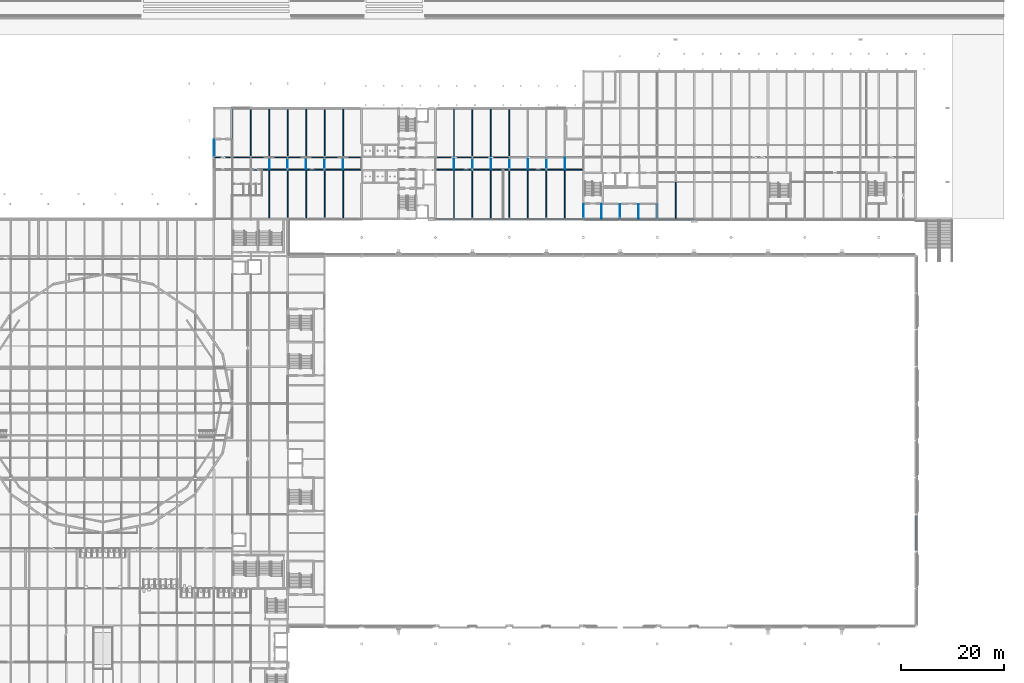
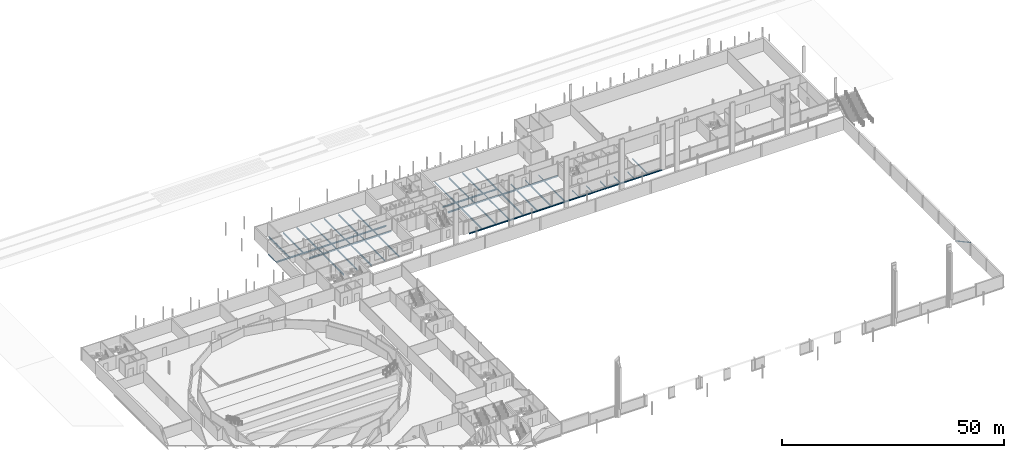
# One storey, part 36 of 90: 62 beams, 1 member.
"""IFC4 building model written with IfcOpenShell, lengths in metres."""

from ifc_helpers import new_model, si_unit, direction, frame, origin, origin_2d, place, context, subcontext, project, spatial, hollow_circle, i_section, extrude, material, material_profile, profile_set, type_object, element, save


model = new_model("IFC4")

# Units and contexts
model_context = context("Model", 3, precision=1e-05, world=origin(), true_north=direction((0.0, 1.0)))
body_context = subcontext(model_context, "Body", "Model", "MODEL_VIEW")
ifc_project = project(units=[si_unit("LENGTHUNIT", "METRE"), si_unit("AREAUNIT", "SQUARE_METRE"), si_unit("VOLUMEUNIT", "CUBIC_METRE"), si_unit("PLANEANGLEUNIT", "RADIAN"), si_unit("MASSUNIT", "GRAM", prefix="KILO")], contexts=[model_context])

# Site, building, storey
site_placement = place(None, origin())
site = spatial("IfcSite", under=ifc_project, at=site_placement, CompositionType="ELEMENT")
building_placement = place(site_placement, origin())
building = spatial("IfcBuilding", under=site, at=building_placement, Name="Kupolbacken Congress Centre", CompositionType="ELEMENT")
storey_placement = place(building_placement, frame((0.0, 0.0, 3.60009765625)))
storey = spatial("IfcBuildingStorey", under=building, at=storey_placement, Name="L01", CompositionType="ELEMENT", Elevation=3.60009765625)

# Beams
ifc_material_1 = material(Name="Steel S355", Category="steel")
ifc_material_profile_1 = material_profile(ifc_material_1, i_section(OverallWidth=0.10009765625, OverallDepth=0.199951171875, WebThickness=0.005615234375, FlangeThickness=0.008544921875, FilletRadius=0.011962890625, at=origin_2d()), Name="IPE 200")
ifc_profile_set_1 = profile_set([ifc_material_profile_1], Name="Steel S355")
beam_type_1 = type_object("IfcBeamType", Name="B01 beam IPE 200", PredefinedType="BEAM", material=ifc_profile_set_1)
beam_1_placement = place(storey_placement, frame((64.800048828125, 134.625, -0.280029296875), z_axis=(0.0, 1.0, 0.0), x_axis=(-1.0, 0.0, 0.0)))
element("IfcBeam", 1, at=beam_1_placement, inside=storey, type_object=beam_type_1, Name="S/floor/T/L01/S033", PredefinedType="BEAM", context=body_context, shape_type="SweptSolid", body=[
    extrude(i_section(OverallWidth=0.10009765625, OverallDepth=0.199951171875, WebThickness=0.005615234375, FlangeThickness=0.008544921875, FilletRadius=0.011962890625, at=origin_2d()), origin(), (0.0, 0.0, 1.0), 3.22509765625),
])
beam_2_placement = place(storey_placement, frame((75.60009765625, 132.074951171875, -0.280029296875), z_axis=(0.0, 1.0, 0.0), x_axis=(-1.0, 0.0, 0.0)))
element("IfcBeam", 2, at=beam_2_placement, inside=storey, type_object=beam_type_1, Name="S/floor/T/L01/S041", PredefinedType="BEAM", context=body_context, shape_type="SweptSolid", body=[
    extrude(i_section(OverallWidth=0.10009765625, OverallDepth=0.199951171875, WebThickness=0.005615234375, FlangeThickness=0.008544921875, FilletRadius=0.011962890625, at=origin_2d()), origin(), (0.0, 0.0, 1.0), 2.25),
])
beam_3_placement = place(storey_placement, frame((79.199951171875, 132.21240234375, -0.280029296875), z_axis=(0.0, 1.0, 0.0), x_axis=(-1.0, 0.0, 0.0)))
element("IfcBeam", 3, at=beam_3_placement, inside=storey, type_object=beam_type_1, Name="S/floor/T/L01/S044", PredefinedType="BEAM", context=body_context, shape_type="SweptSolid", body=[
    extrude(i_section(OverallWidth=0.10009765625, OverallDepth=0.199951171875, WebThickness=0.005615234375, FlangeThickness=0.008544921875, FilletRadius=0.011962890625, at=origin_2d()), origin(), (0.0, 0.0, 1.0), 1.97509765625),
])
beam_4_placement = place(storey_placement, frame((82.800048828125, 132.074951171875, -0.280029296875), z_axis=(0.0, 1.0, 0.0), x_axis=(-1.0, 0.0, 0.0)))
element("IfcBeam", 4, at=beam_4_placement, inside=storey, type_object=beam_type_1, Name="S/floor/T/L01/S047", PredefinedType="BEAM", context=body_context, shape_type="SweptSolid", body=[
    extrude(i_section(OverallWidth=0.10009765625, OverallDepth=0.199951171875, WebThickness=0.005615234375, FlangeThickness=0.008544921875, FilletRadius=0.011962890625, at=origin_2d()), origin(), (0.0, 0.0, 1.0), 2.25),
])
beam_5_placement = place(storey_placement, frame((86.39990234375, 132.21240234375, -0.280029296875), z_axis=(0.0, 1.0, 0.0), x_axis=(-1.0, 0.0, 0.0)))
element("IfcBeam", 5, at=beam_5_placement, inside=storey, type_object=beam_type_1, Name="S/floor/T/L01/S050", PredefinedType="BEAM", context=body_context, shape_type="SweptSolid", body=[
    extrude(i_section(OverallWidth=0.10009765625, OverallDepth=0.199951171875, WebThickness=0.005615234375, FlangeThickness=0.008544921875, FilletRadius=0.011962890625, at=origin_2d()), origin(), (0.0, 0.0, 1.0), 1.97509765625),
])
for number, where, z_axis, x_axis, name in (
    (6, (90.0, 132.074951171875, -0.280029296875), (0.0, 1.0, 0.0), (-1.0, 0.0, 0.0), "S/floor/T/L01/S053"),
    (7, (111.60009765625, 132.074951171875, -0.280029296875), (0.0, 1.0, 0.0), (-1.0, 0.0, 0.0), "S/floor/T/L01/S056"),
):
    element("IfcBeam", number, at=place(storey_placement, frame(where, z_axis=z_axis, x_axis=x_axis)), inside=storey, type_object=beam_type_1, Name=name, PredefinedType="BEAM", context=body_context, shape_type="SweptSolid", body=[
        extrude(i_section(OverallWidth=0.10009765625, OverallDepth=0.199951171875, WebThickness=0.005615234375, FlangeThickness=0.008544921875, FilletRadius=0.011962890625, at=origin_2d()), origin(), (0.0, 0.0, 1.0), 2.25),
    ])
beam_6_placement = place(storey_placement, frame((115.199951171875, 132.21240234375, -0.280029296875), z_axis=(0.0, 1.0, 0.0), x_axis=(-1.0, 0.0, 0.0)))
element("IfcBeam", 8, at=beam_6_placement, inside=storey, type_object=beam_type_1, Name="S/floor/T/L01/S059", PredefinedType="BEAM", context=body_context, shape_type="SweptSolid", body=[
    extrude(i_section(OverallWidth=0.10009765625, OverallDepth=0.199951171875, WebThickness=0.005615234375, FlangeThickness=0.008544921875, FilletRadius=0.011962890625, at=origin_2d()), origin(), (0.0, 0.0, 1.0), 1.97509765625),
])
beam_7_placement = place(storey_placement, frame((118.800048828125, 132.074951171875, -0.280029296875), z_axis=(0.0, 1.0, 0.0), x_axis=(-1.0, 0.0, 0.0)))
element("IfcBeam", 9, at=beam_7_placement, inside=storey, type_object=beam_type_1, Name="S/floor/T/L01/S062", PredefinedType="BEAM", context=body_context, shape_type="SweptSolid", body=[
    extrude(i_section(OverallWidth=0.10009765625, OverallDepth=0.199951171875, WebThickness=0.005615234375, FlangeThickness=0.008544921875, FilletRadius=0.011962890625, at=origin_2d()), origin(), (0.0, 0.0, 1.0), 2.25),
])
beam_8_placement = place(storey_placement, frame((122.39990234375, 132.21240234375, -0.280029296875), z_axis=(0.0, 1.0, 0.0), x_axis=(-1.0, 0.0, 0.0)))
element("IfcBeam", 10, at=beam_8_placement, inside=storey, type_object=beam_type_1, Name="S/floor/T/L01/S065", PredefinedType="BEAM", context=body_context, shape_type="SweptSolid", body=[
    extrude(i_section(OverallWidth=0.10009765625, OverallDepth=0.199951171875, WebThickness=0.005615234375, FlangeThickness=0.008544921875, FilletRadius=0.011962890625, at=origin_2d()), origin(), (0.0, 0.0, 1.0), 1.97509765625),
])
beam_9_placement = place(storey_placement, frame((126.0, 132.074951171875, -0.280029296875), z_axis=(0.0, 1.0, 0.0), x_axis=(-1.0, 0.0, 0.0)))
element("IfcBeam", 11, at=beam_9_placement, inside=storey, type_object=beam_type_1, Name="S/floor/T/L01/S068", PredefinedType="BEAM", context=body_context, shape_type="SweptSolid", body=[
    extrude(i_section(OverallWidth=0.10009765625, OverallDepth=0.199951171875, WebThickness=0.005615234375, FlangeThickness=0.008544921875, FilletRadius=0.011962890625, at=origin_2d()), origin(), (0.0, 0.0, 1.0), 2.25),
])
beam_10_placement = place(storey_placement, frame((129.60009765625, 132.21240234375, -0.280029296875), z_axis=(0.0, 1.0, 0.0), x_axis=(-1.0, 0.0, 0.0)))
element("IfcBeam", 12, at=beam_10_placement, inside=storey, type_object=beam_type_1, Name="S/floor/T/L01/S071", PredefinedType="BEAM", context=body_context, shape_type="SweptSolid", body=[
    extrude(i_section(OverallWidth=0.10009765625, OverallDepth=0.199951171875, WebThickness=0.005615234375, FlangeThickness=0.008544921875, FilletRadius=0.011962890625, at=origin_2d()), origin(), (0.0, 0.0, 1.0), 1.97509765625),
])
beam_11_placement = place(storey_placement, frame((133.199951171875, 132.074951171875, -0.280029296875), z_axis=(0.0, 1.0, 0.0), x_axis=(-1.0, 0.0, 0.0)))
element("IfcBeam", 13, at=beam_11_placement, inside=storey, type_object=beam_type_1, Name="S/floor/T/L01/S074", PredefinedType="BEAM", context=body_context, shape_type="SweptSolid", body=[
    extrude(i_section(OverallWidth=0.10009765625, OverallDepth=0.199951171875, WebThickness=0.005615234375, FlangeThickness=0.008544921875, FilletRadius=0.011962890625, at=origin_2d()), origin(), (0.0, 0.0, 1.0), 2.25),
])
beam_12_placement = place(storey_placement, frame((136.800048828125, 122.625, -0.280029296875), z_axis=(0.0, 1.0, 0.0), x_axis=(-1.0, 0.0, 0.0)))
element("IfcBeam", 14, at=beam_12_placement, inside=storey, type_object=beam_type_1, Name="S/floor/T/L01/S076", PredefinedType="BEAM", context=body_context, shape_type="SweptSolid", body=[
    extrude(i_section(OverallWidth=0.10009765625, OverallDepth=0.199951171875, WebThickness=0.005615234375, FlangeThickness=0.008544921875, FilletRadius=0.011962890625, at=origin_2d()), origin(), (0.0, 0.0, 1.0), 2.64990234375),
])
beam_13_placement = place(storey_placement, frame((144.0, 122.625, -0.280029296875), z_axis=(0.0, 1.0, 0.0), x_axis=(-1.0, 0.0, 0.0)))
element("IfcBeam", 15, at=beam_13_placement, inside=storey, type_object=beam_type_1, Name="S/floor/BF/L01/G002", PredefinedType="BEAM", context=body_context, shape_type="SweptSolid", body=[
    extrude(i_section(OverallWidth=0.10009765625, OverallDepth=0.199951171875, WebThickness=0.005615234375, FlangeThickness=0.008544921875, FilletRadius=0.011962890625, at=origin_2d()), origin(), (0.0, 0.0, 1.0), 2.675048828125),
])
beam_14_placement = place(storey_placement, frame((151.199951171875, 122.550048828125, -0.280029296875), z_axis=(0.0, 1.0, 0.0), x_axis=(-1.0, 0.0, 0.0)))
element("IfcBeam", 16, at=beam_14_placement, inside=storey, type_object=beam_type_1, Name="S/floor/BF/L01/G005", PredefinedType="BEAM", context=body_context, shape_type="SweptSolid", body=[
    extrude(i_section(OverallWidth=0.10009765625, OverallDepth=0.199951171875, WebThickness=0.005615234375, FlangeThickness=0.008544921875, FilletRadius=0.011962890625, at=origin_2d()), origin(), (0.0, 0.0, 1.0), 2.75),
])
beam_15_placement = place(storey_placement, frame((140.39990234375, 122.47509765625, -0.280029296875), z_axis=(0.0, 1.0, 0.0), x_axis=(-1.0, 0.0, 0.0)))
element("IfcBeam", 17, at=beam_15_placement, inside=storey, type_object=beam_type_1, Name="S/floor/BF/L01/S016", PredefinedType="BEAM", context=body_context, shape_type="SweptSolid", body=[
    extrude(i_section(OverallWidth=0.10009765625, OverallDepth=0.199951171875, WebThickness=0.005615234375, FlangeThickness=0.008544921875, FilletRadius=0.011962890625, at=origin_2d()), origin(), (0.0, 0.0, 1.0), 2.7998046875),
])
beam_16_placement = place(storey_placement, frame((147.60009765625, 122.47509765625, -0.280029296875), z_axis=(0.0, 1.0, 0.0), x_axis=(-1.0, 0.0, 0.0)))
element("IfcBeam", 18, at=beam_16_placement, inside=storey, type_object=beam_type_1, Name="S/floor/BF/L01/S020", PredefinedType="BEAM", context=body_context, shape_type="SweptSolid", body=[
    extrude(i_section(OverallWidth=0.10009765625, OverallDepth=0.199951171875, WebThickness=0.005615234375, FlangeThickness=0.008544921875, FilletRadius=0.011962890625, at=origin_2d()), origin(), (0.0, 0.0, 1.0), 2.824951171875),
])
ifc_material_2 = material(Name="Steel S355", Category="steel")
ifc_material_profile_2 = material_profile(ifc_material_2, i_section(OverallWidth=0.14990234375, OverallDepth=0.300048828125, WebThickness=0.007080078125, FlangeThickness=0.0107421875, FilletRadius=0.014892578125, at=origin_2d()), Name="IPE 300")
ifc_profile_set_2 = profile_set([ifc_material_profile_2], Name="Steel S355")
beam_type_2 = type_object("IfcBeamType", Name="B04 beam IPE 300", PredefinedType="BEAM", material=ifc_profile_set_2)
beam_17_placement = place(storey_placement, frame((108.199951171875, 122.39990234375, -0.330078125), z_axis=(1.0, 0.0, 0.0), x_axis=(0.0, 1.0, 0.0)))
element("IfcBeam", 19, at=beam_17_placement, inside=storey, type_object=beam_type_2, Name="S/floor/T/L01/R003", PredefinedType="BEAM", context=body_context, shape_type="SweptSolid", body=[
    extrude(i_section(OverallWidth=0.14990234375, OverallDepth=0.300048828125, WebThickness=0.007080078125, FlangeThickness=0.0107421875, FilletRadius=0.014892578125, at=origin_2d()), origin(), (0.0, 0.0, 1.0), 6.989501953125),
])
beam_18_placement = place(storey_placement, frame((115.21044921875, 122.39990234375, -0.330078125), z_axis=(1.0, 0.0, 0.0), x_axis=(0.0, 1.0, 0.0)))
element("IfcBeam", 20, at=beam_18_placement, inside=storey, type_object=beam_type_2, Name="S/floor/T/L01/R004", PredefinedType="BEAM", context=body_context, shape_type="SweptSolid", body=[
    extrude(i_section(OverallWidth=0.14990234375, OverallDepth=0.300048828125, WebThickness=0.007080078125, FlangeThickness=0.0107421875, FilletRadius=0.014892578125, at=origin_2d()), origin(), (0.0, 0.0, 1.0), 7.178955078125),
])
beam_19_placement = place(storey_placement, frame((122.410400390625, 122.39990234375, -0.330078125), z_axis=(1.0, 0.0, 0.0), x_axis=(0.0, 1.0, 0.0)))
element("IfcBeam", 21, at=beam_19_placement, inside=storey, type_object=beam_type_2, Name="S/floor/T/L01/R005", PredefinedType="BEAM", context=body_context, shape_type="SweptSolid", body=[
    extrude(i_section(OverallWidth=0.14990234375, OverallDepth=0.300048828125, WebThickness=0.007080078125, FlangeThickness=0.0107421875, FilletRadius=0.014892578125, at=origin_2d()), origin(), (0.0, 0.0, 1.0), 7.17919921875),
])
beam_20_placement = place(storey_placement, frame((129.610595703125, 122.39990234375, -0.330078125), z_axis=(1.0, 0.0, 0.0), x_axis=(0.0, 1.0, 0.0)))
element("IfcBeam", 22, at=beam_20_placement, inside=storey, type_object=beam_type_2, Name="S/floor/T/L01/R006", PredefinedType="BEAM", context=body_context, shape_type="SweptSolid", body=[
    extrude(i_section(OverallWidth=0.14990234375, OverallDepth=0.300048828125, WebThickness=0.007080078125, FlangeThickness=0.0107421875, FilletRadius=0.014892578125, at=origin_2d()), origin(), (0.0, 0.0, 1.0), 7.182373046875),
])
for number, where, z_axis, x_axis, name in (
    (23, (72.016357421875, 132.0, -0.330078125), (1.0, 0.0, 0.0), (0.0, 1.0, 0.0), "S/floor/T/L01/R008"),
    (24, (79.21630859375, 132.0, -0.330078125), (1.0, 0.0, 0.0), (0.0, 1.0, 0.0), "S/floor/T/L01/R009"),
):
    element("IfcBeam", number, at=place(storey_placement, frame(where, z_axis=z_axis, x_axis=x_axis)), inside=storey, type_object=beam_type_2, Name=name, PredefinedType="BEAM", context=body_context, shape_type="SweptSolid", body=[
        extrude(i_section(OverallWidth=0.14990234375, OverallDepth=0.300048828125, WebThickness=0.007080078125, FlangeThickness=0.0107421875, FilletRadius=0.014892578125, at=origin_2d()), origin(), (0.0, 0.0, 1.0), 7.167236328125),
    ])
beam_21_placement = place(storey_placement, frame((86.41650390625, 132.0, -0.330078125), z_axis=(1.0, 0.0, 0.0), x_axis=(0.0, 1.0, 0.0)))
element("IfcBeam", 25, at=beam_21_placement, inside=storey, type_object=beam_type_2, Name="S/floor/T/L01/R010", PredefinedType="BEAM", context=body_context, shape_type="SweptSolid", body=[
    extrude(i_section(OverallWidth=0.14990234375, OverallDepth=0.300048828125, WebThickness=0.007080078125, FlangeThickness=0.0107421875, FilletRadius=0.014892578125, at=origin_2d()), origin(), (0.0, 0.0, 1.0), 6.9833984375),
])
beam_22_placement = place(storey_placement, frame((108.199951171875, 132.0, -0.330078125), z_axis=(1.0, 0.0, 0.0), x_axis=(0.0, 1.0, 0.0)))
element("IfcBeam", 26, at=beam_22_placement, inside=storey, type_object=beam_type_2, Name="S/floor/T/L01/R011", PredefinedType="BEAM", context=body_context, shape_type="SweptSolid", body=[
    extrude(i_section(OverallWidth=0.14990234375, OverallDepth=0.300048828125, WebThickness=0.007080078125, FlangeThickness=0.0107421875, FilletRadius=0.014892578125, at=origin_2d()), origin(), (0.0, 0.0, 1.0), 6.983642578125),
])
beam_23_placement = place(storey_placement, frame((115.21630859375, 132.0, -0.330078125), z_axis=(1.0, 0.0, 0.0), x_axis=(0.0, 1.0, 0.0)))
element("IfcBeam", 27, at=beam_23_placement, inside=storey, type_object=beam_type_2, Name="S/floor/T/L01/R012", PredefinedType="BEAM", context=body_context, shape_type="SweptSolid", body=[
    extrude(i_section(OverallWidth=0.14990234375, OverallDepth=0.300048828125, WebThickness=0.007080078125, FlangeThickness=0.0107421875, FilletRadius=0.014892578125, at=origin_2d()), origin(), (0.0, 0.0, 1.0), 7.167236328125),
])
beam_24_placement = place(storey_placement, frame((122.41650390625, 132.0, -0.330078125), z_axis=(1.0, 0.0, 0.0), x_axis=(0.0, 1.0, 0.0)))
element("IfcBeam", 28, at=beam_24_placement, inside=storey, type_object=beam_type_2, Name="S/floor/T/L01/R013", PredefinedType="BEAM", context=body_context, shape_type="SweptSolid", body=[
    extrude(i_section(OverallWidth=0.14990234375, OverallDepth=0.300048828125, WebThickness=0.007080078125, FlangeThickness=0.0107421875, FilletRadius=0.014892578125, at=origin_2d()), origin(), (0.0, 0.0, 1.0), 7.1669921875),
])
beam_25_placement = place(storey_placement, frame((129.616455078125, 132.0, -0.330078125), z_axis=(1.0, 0.0, 0.0), x_axis=(0.0, 1.0, 0.0)))
element("IfcBeam", 29, at=beam_25_placement, inside=storey, type_object=beam_type_2, Name="S/floor/T/L01/R014", PredefinedType="BEAM", context=body_context, shape_type="SweptSolid", body=[
    extrude(i_section(OverallWidth=0.14990234375, OverallDepth=0.300048828125, WebThickness=0.007080078125, FlangeThickness=0.0107421875, FilletRadius=0.014892578125, at=origin_2d()), origin(), (0.0, 0.0, 1.0), 7.176513671875),
])
beam_26_placement = place(storey_placement, frame((64.806884765625, 134.39990234375, -0.330078125), z_axis=(1.0, 0.0, 0.0), x_axis=(0.0, 1.0, 0.0)))
element("IfcBeam", 30, at=beam_26_placement, inside=storey, type_object=beam_type_2, Name="S/floor/T/L01/R015", PredefinedType="BEAM", context=body_context, shape_type="SweptSolid", body=[
    extrude(i_section(OverallWidth=0.14990234375, OverallDepth=0.300048828125, WebThickness=0.007080078125, FlangeThickness=0.0107421875, FilletRadius=0.014892578125, at=origin_2d()), origin(), (0.0, 0.0, 1.0), 7.1767578125),
])
for number, where, z_axis, x_axis, name in (
    (31, (72.016357421875, 134.39990234375, -0.330078125), (1.0, 0.0, 0.0), (0.0, 1.0, 0.0), "S/floor/T/L01/R016"),
    (32, (79.21630859375, 134.39990234375, -0.330078125), (1.0, 0.0, 0.0), (0.0, 1.0, 0.0), "S/floor/T/L01/R017"),
):
    element("IfcBeam", number, at=place(storey_placement, frame(where, z_axis=z_axis, x_axis=x_axis)), inside=storey, type_object=beam_type_2, Name=name, PredefinedType="BEAM", context=body_context, shape_type="SweptSolid", body=[
        extrude(i_section(OverallWidth=0.14990234375, OverallDepth=0.300048828125, WebThickness=0.007080078125, FlangeThickness=0.0107421875, FilletRadius=0.014892578125, at=origin_2d()), origin(), (0.0, 0.0, 1.0), 7.167236328125),
    ])
beam_27_placement = place(storey_placement, frame((86.41650390625, 134.39990234375, -0.330078125), z_axis=(1.0, 0.0, 0.0), x_axis=(0.0, 1.0, 0.0)))
element("IfcBeam", 33, at=beam_27_placement, inside=storey, type_object=beam_type_2, Name="S/floor/T/L01/R018", PredefinedType="BEAM", context=body_context, shape_type="SweptSolid", body=[
    extrude(i_section(OverallWidth=0.14990234375, OverallDepth=0.300048828125, WebThickness=0.007080078125, FlangeThickness=0.0107421875, FilletRadius=0.014892578125, at=origin_2d()), origin(), (0.0, 0.0, 1.0), 6.9833984375),
])
beam_28_placement = place(storey_placement, frame((108.199951171875, 134.39990234375, -0.330078125), z_axis=(1.0, 0.0, 0.0), x_axis=(0.0, 1.0, 0.0)))
element("IfcBeam", 34, at=beam_28_placement, inside=storey, type_object=beam_type_2, Name="S/floor/T/L01/R019", PredefinedType="BEAM", context=body_context, shape_type="SweptSolid", body=[
    extrude(i_section(OverallWidth=0.14990234375, OverallDepth=0.300048828125, WebThickness=0.007080078125, FlangeThickness=0.0107421875, FilletRadius=0.014892578125, at=origin_2d()), origin(), (0.0, 0.0, 1.0), 6.983642578125),
])
beam_29_placement = place(storey_placement, frame((115.21630859375, 134.39990234375, -0.330078125), z_axis=(1.0, 0.0, 0.0), x_axis=(0.0, 1.0, 0.0)))
element("IfcBeam", 35, at=beam_29_placement, inside=storey, type_object=beam_type_2, Name="S/floor/T/L01/R020", PredefinedType="BEAM", context=body_context, shape_type="SweptSolid", body=[
    extrude(i_section(OverallWidth=0.14990234375, OverallDepth=0.300048828125, WebThickness=0.007080078125, FlangeThickness=0.0107421875, FilletRadius=0.014892578125, at=origin_2d()), origin(), (0.0, 0.0, 1.0), 7.167236328125),
])
beam_30_placement = place(storey_placement, frame((136.806884765625, 122.39990234375, -0.330078125), z_axis=(1.0, 0.0, 0.0), x_axis=(0.0, 1.0, 0.0)))
element("IfcBeam", 36, at=beam_30_placement, inside=storey, type_object=beam_type_2, Name="S/floor/BF/L01/R008", PredefinedType="BEAM", context=body_context, shape_type="SweptSolid", body=[
    extrude(i_section(OverallWidth=0.14990234375, OverallDepth=0.300048828125, WebThickness=0.007080078125, FlangeThickness=0.0107421875, FilletRadius=0.014892578125, at=origin_2d()), origin(), (0.0, 0.0, 1.0), 7.18603515625),
])
beam_31_placement = place(storey_placement, frame((144.007080078125, 122.39990234375, -0.330078125), z_axis=(1.0, 0.0, 0.0), x_axis=(0.0, 1.0, 0.0)))
element("IfcBeam", 37, at=beam_31_placement, inside=storey, type_object=beam_type_2, Name="S/floor/BF/L01/R009", PredefinedType="BEAM", context=body_context, shape_type="SweptSolid", body=[
    extrude(i_section(OverallWidth=0.14990234375, OverallDepth=0.300048828125, WebThickness=0.007080078125, FlangeThickness=0.0107421875, FilletRadius=0.014892578125, at=origin_2d()), origin(), (0.0, 0.0, 1.0), 7.1875),
])
beam_32_placement = place(storey_placement, frame((151.20556640625, 122.39990234375, -0.35009765625), z_axis=(1.0, 0.0, 0.0), x_axis=(0.0, 1.0, 0.0)))
element("IfcBeam", 38, at=beam_32_placement, inside=storey, type_object=beam_type_2, Name="S/floor/B/L01/R017", PredefinedType="BEAM", context=body_context, shape_type="SweptSolid", body=[
    extrude(i_section(OverallWidth=0.14990234375, OverallDepth=0.300048828125, WebThickness=0.007080078125, FlangeThickness=0.0107421875, FilletRadius=0.014892578125, at=origin_2d()), origin(), (0.0, 0.0, 1.0), 7.18896484375),
])
beam_33_placement = place(storey_placement, frame((154.800048828125, 122.47509765625, -0.35009765625), z_axis=(0.0, 1.0, 0.0), x_axis=(-1.0, 0.0, 0.0)))
element("IfcBeam", 39, at=beam_33_placement, inside=storey, type_object=beam_type_2, Name="S/floor/B/L01/S052", PredefinedType="BEAM", context=body_context, shape_type="SweptSolid", body=[
    extrude(i_section(OverallWidth=0.14990234375, OverallDepth=0.300048828125, WebThickness=0.007080078125, FlangeThickness=0.0107421875, FilletRadius=0.014892578125, at=origin_2d()), origin(), (0.0, 0.0, 1.0), 7.0498046875),
])
ifc_material_3 = material(Name="Steel S355", Category="steel")
ifc_material_profile_3 = material_profile(ifc_material_3, i_section(OverallWidth=0.179931640625, OverallDepth=0.39990234375, WebThickness=0.008544921875, FlangeThickness=0.013427734375, FilletRadius=0.02099609375, at=origin_2d()), Name="IPE 400")
ifc_profile_set_3 = profile_set([ifc_material_profile_3], Name="Steel S355")
beam_type_3 = type_object("IfcBeamType", Name="B07 beam IPE 400", PredefinedType="BEAM", material=ifc_profile_set_3)
beam_34_placement = place(storey_placement, frame((68.39990234375, 134.47509765625, -0.380126953125), z_axis=(0.0, 1.0, 0.0), x_axis=(-1.0, 0.0, 0.0)))
element("IfcBeam", 40, at=beam_34_placement, inside=storey, type_object=beam_type_3, Name="S/floor/T/L01/S036", PredefinedType="BEAM", context=body_context, shape_type="SweptSolid", body=[
    extrude(i_section(OverallWidth=0.179931640625, OverallDepth=0.39990234375, WebThickness=0.008544921875, FlangeThickness=0.013427734375, FilletRadius=0.02099609375, at=origin_2d()), origin(), (0.0, 0.0, 1.0), 9.474853515625),
])
beam_35_placement = place(storey_placement, frame((72.0, 134.612548828125, -0.380126953125), z_axis=(0.0, 1.0, 0.0), x_axis=(-1.0, 0.0, 0.0)))
element("IfcBeam", 41, at=beam_35_placement, inside=storey, type_object=beam_type_3, Name="S/floor/T/L01/S039", PredefinedType="BEAM", context=body_context, shape_type="SweptSolid", body=[
    extrude(i_section(OverallWidth=0.179931640625, OverallDepth=0.39990234375, WebThickness=0.008544921875, FlangeThickness=0.013427734375, FilletRadius=0.02099609375, at=origin_2d()), origin(), (0.0, 0.0, 1.0), 9.17138671875),
])
beam_36_placement = place(storey_placement, frame((75.60009765625, 122.52490234375, -0.380126953125), z_axis=(0.0, 1.0, 0.0), x_axis=(-1.0, 0.0, 0.0)))
element("IfcBeam", 42, at=beam_36_placement, inside=storey, type_object=beam_type_3, Name="S/floor/T/L01/S040", PredefinedType="BEAM", context=body_context, shape_type="SweptSolid", body=[
    extrude(i_section(OverallWidth=0.179931640625, OverallDepth=0.39990234375, WebThickness=0.008544921875, FlangeThickness=0.013427734375, FilletRadius=0.02099609375, at=origin_2d()), origin(), (0.0, 0.0, 1.0), 9.400146484375),
])
beam_37_placement = place(storey_placement, frame((75.60009765625, 134.47509765625, -0.380126953125), z_axis=(0.0, 1.0, 0.0), x_axis=(-1.0, 0.0, 0.0)))
element("IfcBeam", 43, at=beam_37_placement, inside=storey, type_object=beam_type_3, Name="S/floor/T/L01/S042", PredefinedType="BEAM", context=body_context, shape_type="SweptSolid", body=[
    extrude(i_section(OverallWidth=0.179931640625, OverallDepth=0.39990234375, WebThickness=0.008544921875, FlangeThickness=0.013427734375, FilletRadius=0.02099609375, at=origin_2d()), origin(), (0.0, 0.0, 1.0), 9.449951171875),
])
beam_38_placement = place(storey_placement, frame((79.199951171875, 122.615966796875, -0.380126953125), z_axis=(0.0, 1.0, 0.0), x_axis=(-1.0, 0.0, 0.0)))
element("IfcBeam", 44, at=beam_38_placement, inside=storey, type_object=beam_type_3, Name="S/floor/T/L01/S043", PredefinedType="BEAM", context=body_context, shape_type="SweptSolid", body=[
    extrude(i_section(OverallWidth=0.179931640625, OverallDepth=0.39990234375, WebThickness=0.008544921875, FlangeThickness=0.013427734375, FilletRadius=0.02099609375, at=origin_2d()), origin(), (0.0, 0.0, 1.0), 9.171630859375),
])
beam_39_placement = place(storey_placement, frame((79.199951171875, 134.612548828125, -0.380126953125), z_axis=(0.0, 1.0, 0.0), x_axis=(-1.0, 0.0, 0.0)))
element("IfcBeam", 45, at=beam_39_placement, inside=storey, type_object=beam_type_3, Name="S/floor/T/L01/S045", PredefinedType="BEAM", context=body_context, shape_type="SweptSolid", body=[
    extrude(i_section(OverallWidth=0.179931640625, OverallDepth=0.39990234375, WebThickness=0.008544921875, FlangeThickness=0.013427734375, FilletRadius=0.02099609375, at=origin_2d()), origin(), (0.0, 0.0, 1.0), 9.17138671875),
])
for number, where, z_axis, x_axis, name in (
    (46, (82.800048828125, 122.47509765625, -0.380126953125), (0.0, 1.0, 0.0), (-1.0, 0.0, 0.0), "S/floor/T/L01/S046"),
    (47, (82.800048828125, 134.47509765625, -0.380126953125), (0.0, 1.0, 0.0), (-1.0, 0.0, 0.0), "S/floor/T/L01/S048"),
):
    element("IfcBeam", number, at=place(storey_placement, frame(where, z_axis=z_axis, x_axis=x_axis)), inside=storey, type_object=beam_type_3, Name=name, PredefinedType="BEAM", context=body_context, shape_type="SweptSolid", body=[
        extrude(i_section(OverallWidth=0.179931640625, OverallDepth=0.39990234375, WebThickness=0.008544921875, FlangeThickness=0.013427734375, FilletRadius=0.02099609375, at=origin_2d()), origin(), (0.0, 0.0, 1.0), 9.449951171875),
    ])
beam_40_placement = place(storey_placement, frame((86.39990234375, 122.615966796875, -0.380126953125), z_axis=(0.0, 1.0, 0.0), x_axis=(-1.0, 0.0, 0.0)))
element("IfcBeam", 48, at=beam_40_placement, inside=storey, type_object=beam_type_3, Name="S/floor/T/L01/S049", PredefinedType="BEAM", context=body_context, shape_type="SweptSolid", body=[
    extrude(i_section(OverallWidth=0.179931640625, OverallDepth=0.39990234375, WebThickness=0.008544921875, FlangeThickness=0.013427734375, FilletRadius=0.02099609375, at=origin_2d()), origin(), (0.0, 0.0, 1.0), 9.171630859375),
])
beam_41_placement = place(storey_placement, frame((86.39990234375, 134.612548828125, -0.380126953125), z_axis=(0.0, 1.0, 0.0), x_axis=(-1.0, 0.0, 0.0)))
element("IfcBeam", 49, at=beam_41_placement, inside=storey, type_object=beam_type_3, Name="S/floor/T/L01/S051", PredefinedType="BEAM", context=body_context, shape_type="SweptSolid", body=[
    extrude(i_section(OverallWidth=0.179931640625, OverallDepth=0.39990234375, WebThickness=0.008544921875, FlangeThickness=0.013427734375, FilletRadius=0.02099609375, at=origin_2d()), origin(), (0.0, 0.0, 1.0), 9.17138671875),
])
for number, where, z_axis, x_axis, name in (
    (50, (90.0, 122.47509765625, -0.380126953125), (0.0, 1.0, 0.0), (-1.0, 0.0, 0.0), "S/floor/T/L01/S052"),
    (51, (90.0, 134.47509765625, -0.380126953125), (0.0, 1.0, 0.0), (-1.0, 0.0, 0.0), "S/floor/T/L01/S054"),
    (52, (111.60009765625, 122.47509765625, -0.380126953125), (0.0, 1.0, 0.0), (-1.0, 0.0, 0.0), "S/floor/T/L01/S055"),
    (53, (111.60009765625, 134.47509765625, -0.380126953125), (0.0, 1.0, 0.0), (-1.0, 0.0, 0.0), "S/floor/T/L01/S057"),
):
    element("IfcBeam", number, at=place(storey_placement, frame(where, z_axis=z_axis, x_axis=x_axis)), inside=storey, type_object=beam_type_3, Name=name, PredefinedType="BEAM", context=body_context, shape_type="SweptSolid", body=[
        extrude(i_section(OverallWidth=0.179931640625, OverallDepth=0.39990234375, WebThickness=0.008544921875, FlangeThickness=0.013427734375, FilletRadius=0.02099609375, at=origin_2d()), origin(), (0.0, 0.0, 1.0), 9.449951171875),
    ])
beam_42_placement = place(storey_placement, frame((115.199951171875, 122.615966796875, -0.380126953125), z_axis=(0.0, 1.0, 0.0), x_axis=(-1.0, 0.0, 0.0)))
element("IfcBeam", 54, at=beam_42_placement, inside=storey, type_object=beam_type_3, Name="S/floor/T/L01/S058", PredefinedType="BEAM", context=body_context, shape_type="SweptSolid", body=[
    extrude(i_section(OverallWidth=0.179931640625, OverallDepth=0.39990234375, WebThickness=0.008544921875, FlangeThickness=0.013427734375, FilletRadius=0.02099609375, at=origin_2d()), origin(), (0.0, 0.0, 1.0), 9.171630859375),
])
beam_43_placement = place(storey_placement, frame((115.199951171875, 134.612548828125, -0.380126953125), z_axis=(0.0, 1.0, 0.0), x_axis=(-1.0, 0.0, 0.0)))
element("IfcBeam", 55, at=beam_43_placement, inside=storey, type_object=beam_type_3, Name="S/floor/T/L01/S060", PredefinedType="BEAM", context=body_context, shape_type="SweptSolid", body=[
    extrude(i_section(OverallWidth=0.179931640625, OverallDepth=0.39990234375, WebThickness=0.008544921875, FlangeThickness=0.013427734375, FilletRadius=0.02099609375, at=origin_2d()), origin(), (0.0, 0.0, 1.0), 9.17138671875),
])
for number, where, z_axis, x_axis, name in (
    (56, (118.800048828125, 122.47509765625, -0.380126953125), (0.0, 1.0, 0.0), (-1.0, 0.0, 0.0), "S/floor/T/L01/S061"),
    (57, (118.800048828125, 134.47509765625, -0.380126953125), (0.0, 1.0, 0.0), (-1.0, 0.0, 0.0), "S/floor/T/L01/S063"),
):
    element("IfcBeam", number, at=place(storey_placement, frame(where, z_axis=z_axis, x_axis=x_axis)), inside=storey, type_object=beam_type_3, Name=name, PredefinedType="BEAM", context=body_context, shape_type="SweptSolid", body=[
        extrude(i_section(OverallWidth=0.179931640625, OverallDepth=0.39990234375, WebThickness=0.008544921875, FlangeThickness=0.013427734375, FilletRadius=0.02099609375, at=origin_2d()), origin(), (0.0, 0.0, 1.0), 9.449951171875),
    ])
beam_44_placement = place(storey_placement, frame((122.39990234375, 122.615966796875, -0.380126953125), z_axis=(0.0, 1.0, 0.0), x_axis=(-1.0, 0.0, 0.0)))
element("IfcBeam", 58, at=beam_44_placement, inside=storey, type_object=beam_type_3, Name="S/floor/T/L01/S064", PredefinedType="BEAM", context=body_context, shape_type="SweptSolid", body=[
    extrude(i_section(OverallWidth=0.179931640625, OverallDepth=0.39990234375, WebThickness=0.008544921875, FlangeThickness=0.013427734375, FilletRadius=0.02099609375, at=origin_2d()), origin(), (0.0, 0.0, 1.0), 9.171630859375),
])
beam_45_placement = place(storey_placement, frame((122.39990234375, 134.612548828125, -0.380126953125), z_axis=(0.0, 1.0, 0.0), x_axis=(-1.0, 0.0, 0.0)))
element("IfcBeam", 59, at=beam_45_placement, inside=storey, type_object=beam_type_3, Name="S/floor/T/L01/S066", PredefinedType="BEAM", context=body_context, shape_type="SweptSolid", body=[
    extrude(i_section(OverallWidth=0.179931640625, OverallDepth=0.39990234375, WebThickness=0.008544921875, FlangeThickness=0.013427734375, FilletRadius=0.02099609375, at=origin_2d()), origin(), (0.0, 0.0, 1.0), 9.17138671875),
])
beam_46_placement = place(storey_placement, frame((126.0, 122.47509765625, -0.380126953125), z_axis=(0.0, 1.0, 0.0), x_axis=(-1.0, 0.0, 0.0)))
element("IfcBeam", 60, at=beam_46_placement, inside=storey, type_object=beam_type_3, Name="S/floor/T/L01/S067", PredefinedType="BEAM", context=body_context, shape_type="SweptSolid", body=[
    extrude(i_section(OverallWidth=0.179931640625, OverallDepth=0.39990234375, WebThickness=0.008544921875, FlangeThickness=0.013427734375, FilletRadius=0.02099609375, at=origin_2d()), origin(), (0.0, 0.0, 1.0), 9.449951171875),
])
beam_47_placement = place(storey_placement, frame((129.60009765625, 122.615966796875, -0.380126953125), z_axis=(0.0, 1.0, 0.0), x_axis=(-1.0, 0.0, 0.0)))
element("IfcBeam", 61, at=beam_47_placement, inside=storey, type_object=beam_type_3, Name="S/floor/T/L01/S070", PredefinedType="BEAM", context=body_context, shape_type="SweptSolid", body=[
    extrude(i_section(OverallWidth=0.179931640625, OverallDepth=0.39990234375, WebThickness=0.008544921875, FlangeThickness=0.013427734375, FilletRadius=0.02099609375, at=origin_2d()), origin(), (0.0, 0.0, 1.0), 9.171630859375),
])
beam_48_placement = place(storey_placement, frame((133.199951171875, 122.47509765625, -0.380126953125), z_axis=(0.0, 1.0, 0.0), x_axis=(-1.0, 0.0, 0.0)))
element("IfcBeam", 62, at=beam_48_placement, inside=storey, type_object=beam_type_3, Name="S/floor/T/L01/S073", PredefinedType="BEAM", context=body_context, shape_type="SweptSolid", body=[
    extrude(i_section(OverallWidth=0.179931640625, OverallDepth=0.39990234375, WebThickness=0.008544921875, FlangeThickness=0.013427734375, FilletRadius=0.02099609375, at=origin_2d()), origin(), (0.0, 0.0, 1.0), 9.449951171875),
])

# Member
ifc_material_4 = material(Name="Steel S355", Category="steel")
ifc_material_profile_4 = material_profile(ifc_material_4, hollow_circle(Radius=0.136474609375, WallThickness=0.012451171875, at=origin_2d()), Name="CHS 273 x 12.5")
ifc_profile_set_4 = profile_set([ifc_material_profile_4], Name="Steel S355")
member_type = type_object("IfcMemberType", Name="M08 brace CHS 273 x 12.5", PredefinedType="BRACE", material=ifc_profile_set_4)
member_placement = place(storey_placement, frame((201.60009765625, 64.554931640625, 0.0), z_axis=(0.0, -0.881193823646, 0.472755164083), x_axis=(1.0, 0.0, 0.0)))
element("IfcMember", 63, at=member_placement, inside=storey, type_object=member_type, Name="S/brace/E/03/02", PredefinedType="BRACE", context=body_context, shape_type="SweptSolid", body=[
    extrude(hollow_circle(Radius=0.136474609375, WallThickness=0.012451171875, at=origin_2d()), origin(), (0.0, 0.0, 1.0), 7.61474609375),
])

save(model, "model.ifc")
